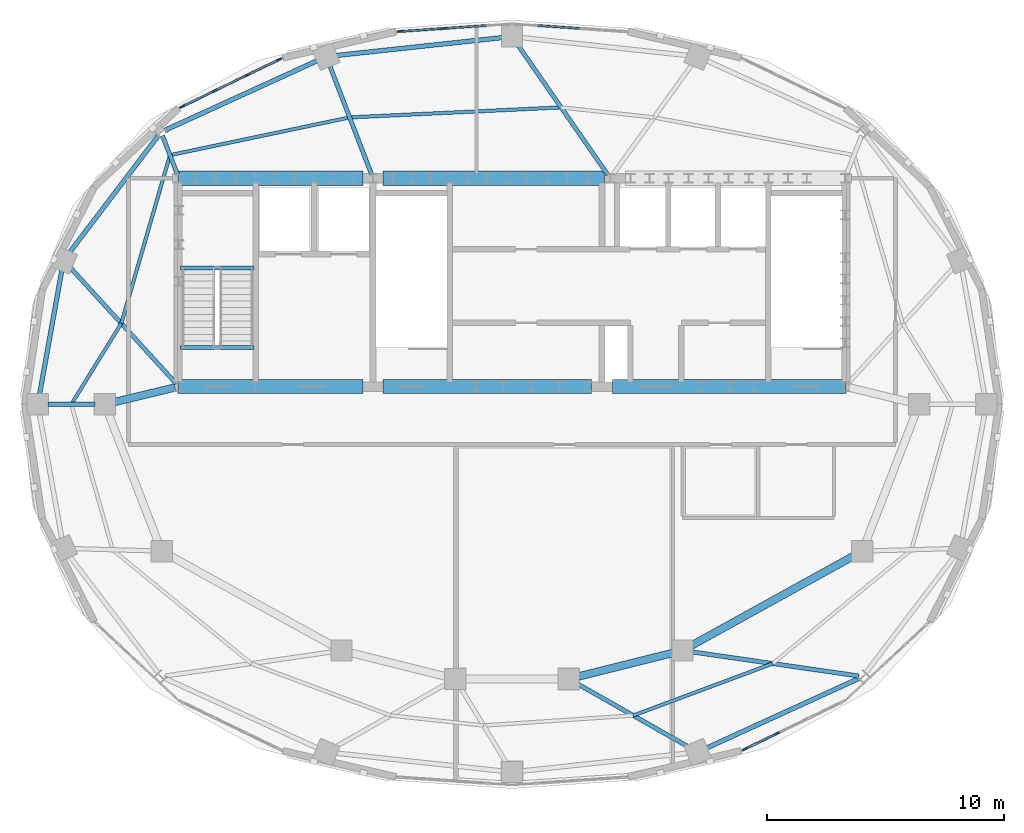
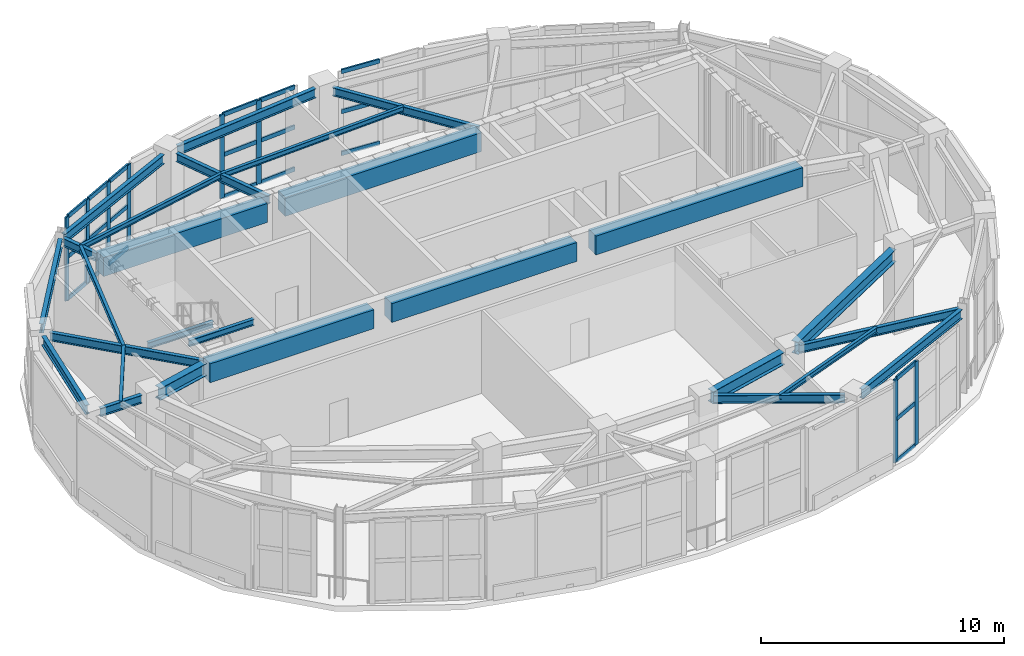
# One storey, part 3 of 10: 29 members, 27 beams, 4 elements without a shape of their own.
"""IFC4 building model written with IfcOpenShell, lengths in metres."""

from ifc_helpers import new_model, si_unit, direction, frame, origin, origin_2d, place, context, subcontext, project, spatial, rectangle, i_section, extrude, material, material_profile, profile_set, type_object, element, aggregate, save


model = new_model("IFC4")

# Units and contexts
model_context = context("Model", 3, precision=1e-05, world=origin(), true_north=direction((0.0, 1.0)))
body_context = subcontext(model_context, "Body", "Model", "MODEL_VIEW")
ifc_project = project(units=[si_unit("LENGTHUNIT", "METRE"), si_unit("AREAUNIT", "SQUARE_METRE"), si_unit("VOLUMEUNIT", "CUBIC_METRE"), si_unit("PLANEANGLEUNIT", "RADIAN"), si_unit("MASSUNIT", "GRAM", prefix="KILO")], contexts=[model_context])

# Site, building, storey
site_placement = place(None, origin())
site = spatial("IfcSite", under=ifc_project, at=site_placement, CompositionType="ELEMENT")
building_placement = place(site_placement, origin())
building = spatial("IfcBuilding", under=site, at=building_placement, Name="Haldorwick Loom Tower", CompositionType="ELEMENT")
storey_placement = place(building_placement, frame((0.0, 0.0, 296.0)))
storey = spatial("IfcBuildingStorey", under=building, at=storey_placement, Name="L79", CompositionType="ELEMENT", Elevation=296.0)

# Curtain wall, members
ifc_material_1 = material(Name="Thermally Broken Anodized Aluminium Curtain Wall Framing", Category="aluminium")
curtain_wall_type = type_object("IfcCurtainWallType", Name="ARC-CW-06", PredefinedType="NOTDEFINED", material=ifc_material_1)
curtain_wall_1_placement = place(storey_placement, origin())
curtain_wall_1 = element("IfcCurtainWall", 1, at=curtain_wall_1_placement, inside=storey, type_object=curtain_wall_type, Name="L79 Facade Curtain Wall CW-06 Bay 7", PredefinedType="NOTDEFINED")
ifc_material_profile_1 = material_profile(ifc_material_1, rectangle(XDim=0.077880859375, YDim=0.22998046875, at=origin_2d()), Name="ALU_MUL_78X230", Category="aluminium")
ifc_profile_set_1 = profile_set([ifc_material_profile_1], Name="Thermally Broken Anodized Aluminium Curtain Wall Framing")
member_type_1 = type_object("IfcMemberType", Name="ARC-CWM-06", PredefinedType="MULLION", material=ifc_profile_set_1)
member_1_placement = place(storey_placement, frame((33.103271484375, 41.8759765625, 0.0), z_axis=(0.0, 0.0, 1.0), x_axis=(0.068469286639, -0.997653224716, 0.0)))
member_1 = element("IfcMember", 2, at=member_1_placement, type_object=member_type_1, Name="CW-06 mullion 2", PredefinedType="MULLION", context=body_context, shape_type="SweptSolid", body=[
    extrude(rectangle(XDim=0.077880859375, YDim=0.22998046875, at=origin_2d()), origin(), (0.0, 0.0, 1.0), 4.199951171875),
])
member_2_placement = place(storey_placement, frame((31.280029296875, 41.7509765625, 0.0), z_axis=(0.0, 0.0, 1.0), x_axis=(0.068469286639, -0.997653224716, 0.0)))
member_2 = element("IfcMember", 3, at=member_2_placement, type_object=member_type_1, Name="CW-06 mullion 3", PredefinedType="MULLION", context=body_context, shape_type="SweptSolid", body=[
    extrude(rectangle(XDim=0.077880859375, YDim=0.22998046875, at=origin_2d()), origin(), (0.0, 0.0, 1.0), 4.199951171875),
])

curtain_wall_2_placement = place(storey_placement, origin())
curtain_wall_2 = element("IfcCurtainWall", 4, at=curtain_wall_2_placement, inside=storey, type_object=curtain_wall_type, Name="L79 Facade Curtain Wall CW-06 Bay 9", PredefinedType="NOTDEFINED")
member_3_placement = place(storey_placement, frame((26.158203125, 40.559814453125, 0.0), z_axis=(0.0, 0.0, 1.0), x_axis=(0.435823894868, -0.900031962022, 0.0)))
member_3 = element("IfcMember", 5, at=member_3_placement, type_object=member_type_1, Name="CW-06 mullion 1", PredefinedType="MULLION", context=body_context, shape_type="SweptSolid", body=[
    extrude(rectangle(XDim=0.077880859375, YDim=0.22998046875, at=origin_2d()), origin(), (0.0, 0.0, 1.0), 4.199951171875),
])
member_4_placement = place(storey_placement, frame((24.809814453125, 39.906982421875, 0.0), z_axis=(0.0, 0.0, 1.0), x_axis=(0.435823894868, -0.900031962022, 0.0)))
member_4 = element("IfcMember", 6, at=member_4_placement, type_object=member_type_1, Name="CW-06 mullion 2", PredefinedType="MULLION", context=body_context, shape_type="SweptSolid", body=[
    extrude(rectangle(XDim=0.077880859375, YDim=0.22998046875, at=origin_2d()), origin(), (0.0, 0.0, 1.0), 4.199951171875),
])
member_5_placement = place(storey_placement, frame((23.42626953125, 39.237060546875, 0.0), z_axis=(0.0, 0.0, 1.0), x_axis=(0.435823894868, -0.900031962022, 0.0)))
member_5 = element("IfcMember", 7, at=member_5_placement, type_object=member_type_1, Name="CW-06 mullion 3", PredefinedType="MULLION", context=body_context, shape_type="SweptSolid", body=[
    extrude(rectangle(XDim=0.077880859375, YDim=0.22998046875, at=origin_2d()), origin(), (0.0, 0.0, 1.0), 4.199951171875),
])
member_6_placement = place(storey_placement, frame((22.07763671875, 38.583984375, 0.0), z_axis=(0.0, 0.0, 1.0), x_axis=(0.435823894868, -0.900031962022, 0.0)))
member_6 = element("IfcMember", 8, at=member_6_placement, type_object=member_type_1, Name="CW-06 mullion 4", PredefinedType="MULLION", context=body_context, shape_type="SweptSolid", body=[
    extrude(rectangle(XDim=0.077880859375, YDim=0.22998046875, at=origin_2d()), origin(), (0.0, 0.0, 1.0), 4.199951171875),
])

curtain_wall_3_placement = place(storey_placement, origin())
curtain_wall_3 = element("IfcCurtainWall", 9, at=curtain_wall_3_placement, inside=storey, type_object=curtain_wall_type, Name="L79 Facade Curtain Wall CW-06 Bay 21", PredefinedType="NOTDEFINED")
member_7_placement = place(storey_placement, frame((45.841796875, 11.440185546875, 0.0), z_axis=(0.0, 0.0, 1.0), x_axis=(-0.435823894868, 0.900031962022, 0.0)))
member_7 = element("IfcMember", 10, at=member_7_placement, type_object=member_type_1, Name="CW-06 mullion 1", PredefinedType="MULLION", context=body_context, shape_type="SweptSolid", body=[
    extrude(rectangle(XDim=0.077880859375, YDim=0.22998046875, at=origin_2d()), origin(), (0.0, 0.0, 1.0), 4.199951171875),
])
member_8_placement = place(storey_placement, frame((47.190185546875, 12.093017578125, 0.0), z_axis=(0.0, 0.0, 1.0), x_axis=(-0.435823894868, 0.900031962022, 0.0)))
member_8 = element("IfcMember", 11, at=member_8_placement, type_object=member_type_1, Name="CW-06 mullion 2", PredefinedType="MULLION", context=body_context, shape_type="SweptSolid", body=[
    extrude(rectangle(XDim=0.077880859375, YDim=0.22998046875, at=origin_2d()), origin(), (0.0, 0.0, 1.0), 4.199951171875),
])

curtain_wall_4_placement = place(storey_placement, origin())
curtain_wall_4 = element("IfcCurtainWall", 12, at=curtain_wall_4_placement, inside=storey, type_object=curtain_wall_type, Name="L79 Facade Curtain Wall CW-06 Bay 6", PredefinedType="NOTDEFINED")
ifc_material_profile_2 = material_profile(ifc_material_1, rectangle(XDim=0.077880859375, YDim=0.2099609375, at=origin_2d()), Name="ALU_TRN_78X210", Category="aluminium")
ifc_profile_set_2 = profile_set([ifc_material_profile_2], Name="Thermally Broken Anodized Aluminium Curtain Wall Framing")
member_type_2 = type_object("IfcMemberType", Name="ARC-CWT-06", PredefinedType="USERDEFINED", material=ifc_profile_set_2)
member_9_placement = place(storey_placement, frame((38.857666015625, 41.878662109375, 0.0390625), z_axis=(-0.997649775994, 0.068519518816, 0.0), x_axis=(-0.068519518816, -0.997649775994, 0.0)))
member_9 = element("IfcMember", 13, at=member_9_placement, type_object=member_type_2, Name="CW-06 transom 2.1", ObjectType="TRANSOM", PredefinedType="USERDEFINED", context=body_context, shape_type="SweptSolid", body=[
    extrude(rectangle(XDim=0.077880859375, YDim=0.2099609375, at=origin_2d()), origin(), (0.0, 0.0, 1.0), 1.74951171875),
])
member_10_placement = place(storey_placement, frame((38.857666015625, 41.878662109375, 2.14990234375), z_axis=(-0.997649775994, 0.068519518816, 0.0), x_axis=(-0.068519518816, -0.997649775994, 0.0)))
member_10 = element("IfcMember", 14, at=member_10_placement, type_object=member_type_2, Name="CW-06 transom 2.2", ObjectType="TRANSOM", PredefinedType="USERDEFINED", context=body_context, shape_type="SweptSolid", body=[
    extrude(rectangle(XDim=0.077880859375, YDim=0.2099609375, at=origin_2d()), origin(), (0.0, 0.0, 1.0), 1.74951171875),
])
member_11_placement = place(storey_placement, frame((38.857666015625, 41.878662109375, 4.160888671875), z_axis=(-0.997649775994, 0.068519518816, 0.0), x_axis=(-0.068519518816, -0.997649775994, 0.0)))
member_11 = element("IfcMember", 15, at=member_11_placement, type_object=member_type_2, Name="CW-06 transom 2.3", ObjectType="TRANSOM", PredefinedType="USERDEFINED", context=body_context, shape_type="SweptSolid", body=[
    extrude(rectangle(XDim=0.077880859375, YDim=0.2099609375, at=origin_2d()), origin(), (0.0, 0.0, 1.0), 1.74951171875),
])
aggregate(curtain_wall_4, [member_9, member_10, member_11])

# Member
member_12_placement = place(storey_placement, frame((34.8876953125, 41.99853515625, 0.0390625), z_axis=(-0.997649775994, -0.068519518816, 0.0), x_axis=(0.068519518816, -0.997649775994, 0.0)))
member_12 = element("IfcMember", 16, at=member_12_placement, type_object=member_type_2, Name="CW-06 transom 1.1", ObjectType="TRANSOM", PredefinedType="USERDEFINED", context=body_context, shape_type="SweptSolid", body=[
    extrude(rectangle(XDim=0.077880859375, YDim=0.2099609375, at=origin_2d()), origin(), (0.0, 0.0, 1.0), 1.74951171875),
])

member_13_placement = place(storey_placement, frame((34.8876953125, 41.99853515625, 2.14990234375), z_axis=(-0.997649775994, -0.068519518816, 0.0), x_axis=(0.068519518816, -0.997649775994, 0.0)))
member_13 = element("IfcMember", 17, at=member_13_placement, type_object=member_type_2, Name="CW-06 transom 1.2", ObjectType="TRANSOM", PredefinedType="USERDEFINED", context=body_context, shape_type="SweptSolid", body=[
    extrude(rectangle(XDim=0.077880859375, YDim=0.2099609375, at=origin_2d()), origin(), (0.0, 0.0, 1.0), 1.74951171875),
])

member_14_placement = place(storey_placement, frame((34.8876953125, 41.99853515625, 4.160888671875), z_axis=(-0.997649775994, -0.068519518816, 0.0), x_axis=(0.068519518816, -0.997649775994, 0.0)))
member_14 = element("IfcMember", 18, at=member_14_placement, type_object=member_type_2, Name="CW-06 transom 1.3", ObjectType="TRANSOM", PredefinedType="USERDEFINED", context=body_context, shape_type="SweptSolid", body=[
    extrude(rectangle(XDim=0.077880859375, YDim=0.2099609375, at=origin_2d()), origin(), (0.0, 0.0, 1.0), 1.74951171875),
])

member_15_placement = place(storey_placement, frame((33.064453125, 41.873291015625, 0.0390625), z_axis=(-0.997659305908, -0.068380621051, 0.0), x_axis=(0.068380621051, -0.997659305908, 0.0)))
member_15 = element("IfcMember", 19, at=member_15_placement, type_object=member_type_2, Name="CW-06 transom 2.1", ObjectType="TRANSOM", PredefinedType="USERDEFINED", context=body_context, shape_type="SweptSolid", body=[
    extrude(rectangle(XDim=0.077880859375, YDim=0.2099609375, at=origin_2d()), origin(), (0.0, 0.0, 1.0), 1.74951171875),
])

member_16_placement = place(storey_placement, frame((33.064453125, 41.873291015625, 2.14990234375), z_axis=(-0.997659305908, -0.068380621051, 0.0), x_axis=(0.068380621051, -0.997659305908, 0.0)))
member_16 = element("IfcMember", 20, at=member_16_placement, type_object=member_type_2, Name="CW-06 transom 2.2", ObjectType="TRANSOM", PredefinedType="USERDEFINED", context=body_context, shape_type="SweptSolid", body=[
    extrude(rectangle(XDim=0.077880859375, YDim=0.2099609375, at=origin_2d()), origin(), (0.0, 0.0, 1.0), 1.74951171875),
])

member_17_placement = place(storey_placement, frame((33.064453125, 41.873291015625, 4.160888671875), z_axis=(-0.997659305908, -0.068380621051, 0.0), x_axis=(0.068380621051, -0.997659305908, 0.0)))
member_17 = element("IfcMember", 21, at=member_17_placement, type_object=member_type_2, Name="CW-06 transom 2.3", ObjectType="TRANSOM", PredefinedType="USERDEFINED", context=body_context, shape_type="SweptSolid", body=[
    extrude(rectangle(XDim=0.077880859375, YDim=0.2099609375, at=origin_2d()), origin(), (0.0, 0.0, 1.0), 1.74951171875),
])

aggregate(curtain_wall_1, [member_1, member_2, member_12, member_13, member_14, member_15, member_16, member_17])

member_18_placement = place(storey_placement, frame((26.123046875, 40.54296875, 0.0390625), z_axis=(-0.899993967604, -0.435902349474, 0.0), x_axis=(0.435902349474, -0.899993967604, 0.0)))
member_18 = element("IfcMember", 22, at=member_18_placement, type_object=member_type_2, Name="CW-06 transom 1.1", ObjectType="TRANSOM", PredefinedType="USERDEFINED", context=body_context, shape_type="SweptSolid", body=[
    extrude(rectangle(XDim=0.077880859375, YDim=0.2099609375, at=origin_2d()), origin(), (0.0, 0.0, 1.0), 1.42041015625),
])

member_19_placement = place(storey_placement, frame((26.123046875, 40.54296875, 2.14990234375), z_axis=(-0.899993967604, -0.435902349474, 0.0), x_axis=(0.435902349474, -0.899993967604, 0.0)))
member_19 = element("IfcMember", 23, at=member_19_placement, type_object=member_type_2, Name="CW-06 transom 1.2", ObjectType="TRANSOM", PredefinedType="USERDEFINED", context=body_context, shape_type="SweptSolid", body=[
    extrude(rectangle(XDim=0.077880859375, YDim=0.2099609375, at=origin_2d()), origin(), (0.0, 0.0, 1.0), 1.42041015625),
])

member_20_placement = place(storey_placement, frame((26.123046875, 40.54296875, 4.160888671875), z_axis=(-0.899993967604, -0.435902349474, 0.0), x_axis=(0.435902349474, -0.899993967604, 0.0)))
member_20 = element("IfcMember", 24, at=member_20_placement, type_object=member_type_2, Name="CW-06 transom 1.3", ObjectType="TRANSOM", PredefinedType="USERDEFINED", context=body_context, shape_type="SweptSolid", body=[
    extrude(rectangle(XDim=0.077880859375, YDim=0.2099609375, at=origin_2d()), origin(), (0.0, 0.0, 1.0), 1.42041015625),
])

member_21_placement = place(storey_placement, frame((24.774658203125, 39.889892578125, 0.0390625), z_axis=(-0.900042846839, -0.435801415616, 0.0), x_axis=(0.435801415616, -0.900042846839, 0.0)))
member_21 = element("IfcMember", 25, at=member_21_placement, type_object=member_type_2, Name="CW-06 transom 2.1", ObjectType="TRANSOM", PredefinedType="USERDEFINED", context=body_context, shape_type="SweptSolid", body=[
    extrude(rectangle(XDim=0.077880859375, YDim=0.2099609375, at=origin_2d()), origin(), (0.0, 0.0, 1.0), 1.459228515625),
])

member_22_placement = place(storey_placement, frame((24.774658203125, 39.889892578125, 2.14990234375), z_axis=(-0.900042846839, -0.435801415616, 0.0), x_axis=(0.435801415616, -0.900042846839, 0.0)))
member_22 = element("IfcMember", 26, at=member_22_placement, type_object=member_type_2, Name="CW-06 transom 2.2", ObjectType="TRANSOM", PredefinedType="USERDEFINED", context=body_context, shape_type="SweptSolid", body=[
    extrude(rectangle(XDim=0.077880859375, YDim=0.2099609375, at=origin_2d()), origin(), (0.0, 0.0, 1.0), 1.459228515625),
])

member_23_placement = place(storey_placement, frame((24.774658203125, 39.889892578125, 4.160888671875), z_axis=(-0.900042846839, -0.435801415616, 0.0), x_axis=(0.435801415616, -0.900042846839, 0.0)))
member_23 = element("IfcMember", 27, at=member_23_placement, type_object=member_type_2, Name="CW-06 transom 2.3", ObjectType="TRANSOM", PredefinedType="USERDEFINED", context=body_context, shape_type="SweptSolid", body=[
    extrude(rectangle(XDim=0.077880859375, YDim=0.2099609375, at=origin_2d()), origin(), (0.0, 0.0, 1.0), 1.459228515625),
])

member_24_placement = place(storey_placement, frame((23.39111328125, 39.219970703125, 0.0390625), z_axis=(-0.900061394309, -0.435763108207, 0.0), x_axis=(0.435763108207, -0.900061394309, 0.0)))
member_24 = element("IfcMember", 28, at=member_24_placement, type_object=member_type_2, Name="CW-06 transom 3.1", ObjectType="TRANSOM", PredefinedType="USERDEFINED", context=body_context, shape_type="SweptSolid", body=[
    extrude(rectangle(XDim=0.077880859375, YDim=0.2099609375, at=origin_2d()), origin(), (0.0, 0.0, 1.0), 1.420166015625),
])

member_25_placement = place(storey_placement, frame((23.39111328125, 39.219970703125, 2.14990234375), z_axis=(-0.900061394309, -0.435763108207, 0.0), x_axis=(0.435763108207, -0.900061394309, 0.0)))
member_25 = element("IfcMember", 29, at=member_25_placement, type_object=member_type_2, Name="CW-06 transom 3.2", ObjectType="TRANSOM", PredefinedType="USERDEFINED", context=body_context, shape_type="SweptSolid", body=[
    extrude(rectangle(XDim=0.077880859375, YDim=0.2099609375, at=origin_2d()), origin(), (0.0, 0.0, 1.0), 1.420166015625),
])

member_26_placement = place(storey_placement, frame((23.39111328125, 39.219970703125, 4.160888671875), z_axis=(-0.900061394309, -0.435763108207, 0.0), x_axis=(0.435763108207, -0.900061394309, 0.0)))
member_26 = element("IfcMember", 30, at=member_26_placement, type_object=member_type_2, Name="CW-06 transom 3.3", ObjectType="TRANSOM", PredefinedType="USERDEFINED", context=body_context, shape_type="SweptSolid", body=[
    extrude(rectangle(XDim=0.077880859375, YDim=0.2099609375, at=origin_2d()), origin(), (0.0, 0.0, 1.0), 1.420166015625),
])

aggregate(curtain_wall_2, [member_3, member_4, member_5, member_6, member_18, member_19, member_20, member_21, member_22, member_23, member_24, member_25, member_26])

member_27_placement = place(storey_placement, frame((45.876953125, 11.45703125, 0.0390625), z_axis=(0.899993967604, 0.435902349474, 0.0), x_axis=(-0.435902349474, 0.899993967604, 0.0)))
member_27 = element("IfcMember", 31, at=member_27_placement, type_object=member_type_2, Name="CW-06 transom 1.1", ObjectType="TRANSOM", PredefinedType="USERDEFINED", context=body_context, shape_type="SweptSolid", body=[
    extrude(rectangle(XDim=0.077880859375, YDim=0.2099609375, at=origin_2d()), origin(), (0.0, 0.0, 1.0), 1.42041015625),
])

member_28_placement = place(storey_placement, frame((45.876953125, 11.45703125, 2.14990234375), z_axis=(0.899993967604, 0.435902349474, 0.0), x_axis=(-0.435902349474, 0.899993967604, 0.0)))
member_28 = element("IfcMember", 32, at=member_28_placement, type_object=member_type_2, Name="CW-06 transom 1.2", ObjectType="TRANSOM", PredefinedType="USERDEFINED", context=body_context, shape_type="SweptSolid", body=[
    extrude(rectangle(XDim=0.077880859375, YDim=0.2099609375, at=origin_2d()), origin(), (0.0, 0.0, 1.0), 1.42041015625),
])

member_29_placement = place(storey_placement, frame((45.876953125, 11.45703125, 4.160888671875), z_axis=(0.899993967604, 0.435902349474, 0.0), x_axis=(-0.435902349474, 0.899993967604, 0.0)))
member_29 = element("IfcMember", 33, at=member_29_placement, type_object=member_type_2, Name="CW-06 transom 1.3", ObjectType="TRANSOM", PredefinedType="USERDEFINED", context=body_context, shape_type="SweptSolid", body=[
    extrude(rectangle(XDim=0.077880859375, YDim=0.2099609375, at=origin_2d()), origin(), (0.0, 0.0, 1.0), 1.42041015625),
])

aggregate(curtain_wall_3, [member_7, member_8, member_27, member_28, member_29])

# Beams
ifc_material_2 = material(Name="Concrete C50 (50 MPa)", Category="concrete")
ifc_material_profile_3 = material_profile(ifc_material_2, rectangle(XDim=0.60009765625, YDim=0.949951171875, at=origin_2d()), Name="RC600X950", Category="concrete")
ifc_profile_set_3 = profile_set([ifc_material_profile_3], Name="Concrete C50 (50 MPa)")
beam_type_1 = type_object("IfcBeamType", Name="STR-BM-CB950", PredefinedType="LINTEL", material=ifc_profile_set_3)
beam_1_placement = place(storey_placement, frame((21.89990234375, 35.550048828125, 3.72509765625), z_axis=(1.0, 0.0, 0.0), x_axis=(0.0, 1.0, 0.0)))
element("IfcBeam", 34, at=beam_1_placement, inside=storey, type_object=beam_type_1, Name="L79 Core Coupling Beam CB-N1", PredefinedType="LINTEL", context=body_context, shape_type="SweptSolid", body=[
    extrude(rectangle(XDim=0.60009765625, YDim=0.949951171875, at=origin_2d()), origin(), (0.0, 0.0, 1.0), 7.800048828125),
])
beam_2_placement = place(storey_placement, frame((30.550048828125, 35.550048828125, 3.72509765625), z_axis=(1.0, 0.0, 0.0), x_axis=(0.0, 1.0, 0.0)))
element("IfcBeam", 35, at=beam_2_placement, inside=storey, type_object=beam_type_1, Name="L79 Core Coupling Beam CB-N2", PredefinedType="LINTEL", context=body_context, shape_type="SweptSolid", body=[
    extrude(rectangle(XDim=0.60009765625, YDim=0.949951171875, at=origin_2d()), origin(), (0.0, 0.0, 1.0), 9.349853515625),
])
beam_3_placement = place(storey_placement, frame((21.89990234375, 26.75, 3.72509765625), z_axis=(1.0, 0.0, 0.0), x_axis=(0.0, 1.0, 0.0)))
element("IfcBeam", 36, at=beam_3_placement, inside=storey, type_object=beam_type_1, Name="L79 Core Coupling Beam CB-S1", PredefinedType="LINTEL", context=body_context, shape_type="SweptSolid", body=[
    extrude(rectangle(XDim=0.60009765625, YDim=0.949951171875, at=origin_2d()), origin(), (0.0, 0.0, 1.0), 7.800048828125),
])
beam_4_placement = place(storey_placement, frame((30.550048828125, 26.75, 3.72509765625), z_axis=(1.0, 0.0, 0.0), x_axis=(0.0, 1.0, 0.0)))
element("IfcBeam", 37, at=beam_4_placement, inside=storey, type_object=beam_type_1, Name="L79 Core Coupling Beam CB-S2", PredefinedType="LINTEL", context=body_context, shape_type="SweptSolid", body=[
    extrude(rectangle(XDim=0.60009765625, YDim=0.949951171875, at=origin_2d()), origin(), (0.0, 0.0, 1.0), 8.800048828125),
])
beam_5_placement = place(storey_placement, frame((40.25, 26.75, 3.72509765625), z_axis=(1.0, 0.0, 0.0), x_axis=(0.0, 1.0, 0.0)))
element("IfcBeam", 38, at=beam_5_placement, inside=storey, type_object=beam_type_1, Name="L79 Core Coupling Beam CB-S3", PredefinedType="LINTEL", context=body_context, shape_type="SweptSolid", body=[
    extrude(rectangle(XDim=0.60009765625, YDim=0.949951171875, at=origin_2d()), origin(), (0.0, 0.0, 1.0), 9.85009765625),
])
ifc_material_3 = material(Name="Steel CSA G40.21 350W", Category="steel")
ifc_material_profile_4 = material_profile(ifc_material_3, i_section(OverallWidth=0.14599609375, OverallDepth=0.258056640625, WebThickness=0.006103515625, FlangeThickness=0.009033203125, at=origin_2d()), Name="W250X33", Category="steel")
ifc_profile_set_4 = profile_set([ifc_material_profile_4], Name="Steel CSA G40.21 350W")
beam_type_2 = type_object("IfcBeamType", Name="STR-BM-J250", PredefinedType="JOIST", material=ifc_profile_set_4)
beam_6_placement = place(storey_placement, frame((38.074951171875, 38.54248046875, 4.071044921875), z_axis=(-0.998882668126, -0.047259023657, 0.0), x_axis=(0.047259023657, -0.998882668126, 0.0)))
element("IfcBeam", 39, at=beam_6_placement, inside=storey, type_object=beam_type_2, Name="L79 Mid-Bay Secondary Joist 5", PredefinedType="JOIST", context=body_context, shape_type="SweptSolid", body=[
    extrude(i_section(OverallWidth=0.14599609375, OverallDepth=0.258056640625, WebThickness=0.006103515625, FlangeThickness=0.009033203125, at=origin_2d()), origin(), (0.0, 0.0, 1.0), 8.9423828125),
])
beam_7_placement = place(storey_placement, frame((29.142578125, 38.119873046875, 4.071044921875), z_axis=(-0.978646531779, -0.205550397315, 0.0), x_axis=(0.205550397315, -0.978646531779, 0.0)))
element("IfcBeam", 40, at=beam_7_placement, inside=storey, type_object=beam_type_2, Name="L79 Mid-Bay Secondary Joist 6", PredefinedType="JOIST", context=body_context, shape_type="SweptSolid", body=[
    extrude(i_section(OverallWidth=0.14599609375, OverallDepth=0.258056640625, WebThickness=0.006103515625, FlangeThickness=0.009033203125, at=origin_2d()), origin(), (0.0, 0.0, 1.0), 7.755859375),
])
beam_8_placement = place(storey_placement, frame((21.55224609375, 36.525634765625, 4.071044921875), z_axis=(-0.27798758119, -0.96058466816, 0.0), x_axis=(0.96058466816, -0.27798758119, 0.0)))
element("IfcBeam", 41, at=beam_8_placement, inside=storey, type_object=beam_type_2, Name="L79 Mid-Bay Secondary Joist 7", PredefinedType="JOIST", context=body_context, shape_type="SweptSolid", body=[
    extrude(i_section(OverallWidth=0.14599609375, OverallDepth=0.258056640625, WebThickness=0.006103515625, FlangeThickness=0.009033203125, at=origin_2d()), origin(), (0.0, 0.0, 1.0), 7.400146484375),
])
beam_9_placement = place(storey_placement, frame((19.4951171875, 29.417236328125, 4.071044921875), z_axis=(-0.525703769437, -0.850667706452, 0.0), x_axis=(0.850667706452, -0.525703769437, 0.0)))
element("IfcBeam", 42, at=beam_9_placement, inside=storey, type_object=beam_type_2, Name="L79 Mid-Bay Secondary Joist 8", PredefinedType="JOIST", context=body_context, shape_type="SweptSolid", body=[
    extrude(i_section(OverallWidth=0.14599609375, OverallDepth=0.258056640625, WebThickness=0.006103515625, FlangeThickness=0.009033203125, at=origin_2d()), origin(), (0.0, 0.0, 1.0), 4.01708984375),
])
beam_10_placement = place(storey_placement, frame((41.12255859375, 12.855224609375, 4.071044921875), z_axis=(0.937096315822, 0.349070902358, 0.0), x_axis=(-0.349070902358, 0.937096315822, 0.0)))
element("IfcBeam", 43, at=beam_10_placement, inside=storey, type_object=beam_type_2, Name="L79 Mid-Bay Secondary Joist 14", PredefinedType="JOIST", context=body_context, shape_type="SweptSolid", body=[
    extrude(i_section(OverallWidth=0.14599609375, OverallDepth=0.258056640625, WebThickness=0.006103515625, FlangeThickness=0.009033203125, at=origin_2d()), origin(), (0.0, 0.0, 1.0), 6.285400390625),
])
ifc_material_profile_5 = material_profile(ifc_material_3, i_section(OverallWidth=0.179931640625, OverallDepth=0.4130859375, WebThickness=0.009765625, FlangeThickness=0.01611328125, at=origin_2d()), Name="W410X74", Category="steel")
ifc_profile_set_5 = profile_set([ifc_material_profile_5], Name="Steel CSA G40.21 350W")
beam_type_3 = type_object("IfcBeamType", Name="STR-BM-J410", PredefinedType="JOIST", material=ifc_profile_set_5)
beam_11_placement = place(storey_placement, frame((40.05224609375, 35.69091796875, 3.993408203125), z_axis=(-0.56982499389, 0.821766071542, 0.0), x_axis=(-0.821766071542, -0.56982499389, 0.0)))
element("IfcBeam", 44, at=beam_11_placement, inside=storey, type_object=beam_type_3, Name="L79 Radial Floor Girder 5", PredefinedType="JOIST", context=body_context, shape_type="SweptSolid", body=[
    extrude(i_section(OverallWidth=0.179931640625, OverallDepth=0.4130859375, WebThickness=0.009765625, FlangeThickness=0.01611328125, at=origin_2d()), origin(), (0.0, 0.0, 1.0), 6.686279296875),
])
beam_12_placement = place(storey_placement, frame((30.068603515625, 35.710205078125, 3.993408203125), z_axis=(-0.358735811388, 0.933439134399, 0.0), x_axis=(-0.933439134399, -0.358735811388, 0.0)))
element("IfcBeam", 45, at=beam_12_placement, inside=storey, type_object=beam_type_3, Name="L79 Radial Floor Girder 6", PredefinedType="JOIST", context=body_context, shape_type="SweptSolid", body=[
    extrude(i_section(OverallWidth=0.179931640625, OverallDepth=0.4130859375, WebThickness=0.009765625, FlangeThickness=0.01611328125, at=origin_2d()), origin(), (0.0, 0.0, 1.0), 4.90966796875),
])
beam_13_placement = place(storey_placement, frame((21.8681640625, 35.7099609375, 3.993408203125), z_axis=(-0.361166360631, 0.932501399435, 0.0), x_axis=(-0.932501399435, -0.361166360631, 0.0)))
element("IfcBeam", 46, at=beam_13_placement, inside=storey, type_object=beam_type_3, Name="L79 Radial Floor Girder 7", PredefinedType="JOIST", context=body_context, shape_type="SweptSolid", body=[
    extrude(i_section(OverallWidth=0.179931640625, OverallDepth=0.4130859375, WebThickness=0.009765625, FlangeThickness=0.01611328125, at=origin_2d()), origin(), (0.0, 0.0, 1.0), 1.74951171875),
])
beam_14_placement = place(storey_placement, frame((21.814453125, 26.876708984375, 3.993408203125), z_axis=(-0.67419160998, 0.738556479243, 0.0), x_axis=(-0.738556479243, -0.67419160998, 0.0)))
element("IfcBeam", 47, at=beam_14_placement, inside=storey, type_object=beam_type_3, Name="L79 Radial Floor Girder 8", PredefinedType="JOIST", context=body_context, shape_type="SweptSolid", body=[
    extrude(i_section(OverallWidth=0.179931640625, OverallDepth=0.4130859375, WebThickness=0.009765625, FlangeThickness=0.01611328125, at=origin_2d()), origin(), (0.0, 0.0, 1.0), 6.62646484375),
])
beam_15_placement = place(storey_placement, frame((18.375, 26.0, 3.993408203125), z_axis=(-1.0, 0.0, 0.0), x_axis=(0.0, -1.0, 0.0)))
element("IfcBeam", 48, at=beam_15_placement, inside=storey, type_object=beam_type_3, Name="L79 Radial Floor Girder 9", PredefinedType="JOIST", context=body_context, shape_type="SweptSolid", body=[
    extrude(i_section(OverallWidth=0.179931640625, OverallDepth=0.4130859375, WebThickness=0.009765625, FlangeThickness=0.01611328125, at=origin_2d()), origin(), (0.0, 0.0, 1.0), 1.983642578125),
])
beam_16_placement = place(storey_placement, frame((38.76953125, 14.190185546875, 3.993408203125), z_axis=(0.869741403269, -0.493507742026, 0.0), x_axis=(0.493507742026, 0.869741403269, 0.0)))
element("IfcBeam", 49, at=beam_16_placement, inside=storey, type_object=beam_type_3, Name="L79 Radial Floor Girder 14", PredefinedType="JOIST", context=body_context, shape_type="SweptSolid", body=[
    extrude(i_section(OverallWidth=0.179931640625, OverallDepth=0.4130859375, WebThickness=0.009765625, FlangeThickness=0.01611328125, at=origin_2d()), origin(), (0.0, 0.0, 1.0), 5.41064453125),
])
beam_17_placement = place(storey_placement, frame((43.62060546875, 15.539306640625, 3.993408203125), z_axis=(0.989729868718, -0.142950295447, 0.0), x_axis=(0.142950295447, 0.989729868718, 0.0)))
element("IfcBeam", 50, at=beam_17_placement, inside=storey, type_object=beam_type_3, Name="L79 Radial Floor Girder 15", PredefinedType="JOIST", context=body_context, shape_type="SweptSolid", body=[
    extrude(i_section(OverallWidth=0.179931640625, OverallDepth=0.4130859375, WebThickness=0.009765625, FlangeThickness=0.01611328125, at=origin_2d()), origin(), (0.0, 0.0, 1.0), 7.108154296875),
])
ifc_material_profile_6 = material_profile(ifc_material_3, i_section(OverallWidth=0.193115234375, OverallDepth=0.466064453125, WebThickness=0.011474609375, FlangeThickness=0.01904296875, at=origin_2d()), Name="W460X97", Category="steel")
ifc_profile_set_6 = profile_set([ifc_material_profile_6], Name="Steel CSA G40.21 350W")
beam_type_4 = type_object("IfcBeamType", Name="STR-BM-SP460", PredefinedType="SPANDREL", material=ifc_profile_set_6)
beam_18_placement = place(storey_placement, frame((35.577392578125, 41.4892578125, 3.967041015625), z_axis=(-0.994246141162, -0.107119609712, 0.0), x_axis=(0.107119609712, -0.994246141162, 0.0)))
element("IfcBeam", 51, at=beam_18_placement, inside=storey, type_object=beam_type_4, Name="L79 Perimeter Spandrel 5", PredefinedType="SPANDREL", context=body_context, shape_type="SweptSolid", body=[
    extrude(i_section(OverallWidth=0.193115234375, OverallDepth=0.466064453125, WebThickness=0.011474609375, FlangeThickness=0.01904296875, at=origin_2d()), origin(), (0.0, 0.0, 1.0), 7.040283203125),
])
beam_19_placement = place(storey_placement, frame((27.768310546875, 40.51318359375, 3.967041015625), z_axis=(-0.909597043303, -0.415491538799, 0.0), x_axis=(0.415491538799, -0.909597043303, 0.0)))
element("IfcBeam", 52, at=beam_19_placement, inside=storey, type_object=beam_type_4, Name="L79 Perimeter Spandrel 6", PredefinedType="SPANDREL", context=body_context, shape_type="SweptSolid", body=[
    extrude(i_section(OverallWidth=0.193115234375, OverallDepth=0.466064453125, WebThickness=0.011474609375, FlangeThickness=0.01904296875, at=origin_2d()), origin(), (0.0, 0.0, 1.0), 7.07763671875),
])
beam_20_placement = place(storey_placement, frame((21.07080078125, 37.364501953125, 3.967041015625), z_axis=(-0.604848808079, -0.796340328858, 0.0), x_axis=(0.796340328858, -0.604848808079, 0.0)))
element("IfcBeam", 53, at=beam_20_placement, inside=storey, type_object=beam_type_4, Name="L79 Perimeter Spandrel 7", PredefinedType="SPANDREL", context=body_context, shape_type="SweptSolid", body=[
    extrude(i_section(OverallWidth=0.193115234375, OverallDepth=0.466064453125, WebThickness=0.011474609375, FlangeThickness=0.01904296875, at=origin_2d()), origin(), (0.0, 0.0, 1.0), 6.205078125),
])
beam_21_placement = place(storey_placement, frame((16.9853515625, 31.66650390625, 3.967041015625), z_axis=(-0.176999556218, -0.984210931202, 0.0), x_axis=(0.984210931202, -0.176999556218, 0.0)))
element("IfcBeam", 54, at=beam_21_placement, inside=storey, type_object=beam_type_4, Name="L79 Perimeter Spandrel 8", PredefinedType="SPANDREL", context=body_context, shape_type="SweptSolid", body=[
    extrude(i_section(OverallWidth=0.193115234375, OverallDepth=0.466064453125, WebThickness=0.011474609375, FlangeThickness=0.01904296875, at=origin_2d()), origin(), (0.0, 0.0, 1.0), 5.33251953125),
])
beam_22_placement = place(storey_placement, frame((44.231689453125, 11.48681640625, 3.967041015625), z_axis=(0.909597043303, 0.415491538799, 0.0), x_axis=(-0.415491538799, 0.909597043303, 0.0)))
element("IfcBeam", 55, at=beam_22_placement, inside=storey, type_object=beam_type_4, Name="L79 Perimeter Spandrel 14", PredefinedType="SPANDREL", context=body_context, shape_type="SweptSolid", body=[
    extrude(i_section(OverallWidth=0.193115234375, OverallDepth=0.466064453125, WebThickness=0.011474609375, FlangeThickness=0.01904296875, at=origin_2d()), origin(), (0.0, 0.0, 1.0), 7.07763671875),
])
ifc_material_profile_7 = material_profile(ifc_material_3, i_section(OverallWidth=0.166015625, OverallDepth=0.31298828125, WebThickness=0.006591796875, FlangeThickness=0.01123046875, at=origin_2d()), Name="W310X45", Category="steel")
ifc_profile_set_7 = profile_set([ifc_material_profile_7], Name="Steel CSA G40.21 350W")
beam_type_5 = type_object("IfcBeamType", Name="STR-BM-STRM", PredefinedType="BEAM", material=ifc_profile_set_7)
for number, where, z_axis, x_axis, name in (
    (56, (21.989990234375, 28.39990234375, 4.04345703125), (1.0, 0.0, 0.0), (0.0, 1.0, 0.0), "L79 Stair ST-01 Landing Edge Trimmer"),
    (57, (21.989990234375, 31.760009765625, 1.8935546875), (1.0, 0.0, 0.0), (0.0, 1.0, 0.0), "L79 Stair ST-01 Half-Landing Trimmer 1"),
):
    element("IfcBeam", number, at=place(storey_placement, frame(where, z_axis=z_axis, x_axis=x_axis)), inside=storey, type_object=beam_type_5, Name=name, PredefinedType="BEAM", context=body_context, shape_type="SweptSolid", body=[
        extrude(i_section(OverallWidth=0.166015625, OverallDepth=0.31298828125, WebThickness=0.006591796875, FlangeThickness=0.01123046875, at=origin_2d()), origin(), (0.0, 0.0, 1.0), 3.1201171875),
    ])
ifc_material_profile_8 = material_profile(ifc_material_3, i_section(OverallWidth=0.324951171875, OverallDepth=0.615966796875, WebThickness=0.013916015625, FlangeThickness=0.021484375, at=origin_2d()), Name="W610X174", Category="steel")
ifc_profile_set_8 = profile_set([ifc_material_profile_8], Name="Steel CSA G40.21 350W")
beam_type_6 = type_object("IfcBeamType", Name="STR-BM-W610A", PredefinedType="BEAM", material=ifc_profile_set_8)
beam_23_placement = place(storey_placement, frame((50.427978515625, 19.594482421875, 3.89208984375), z_axis=(-0.875241535439, -0.48368611169, 0.0), x_axis=(0.48368611169, -0.875241535439, 0.0)))
element("IfcBeam", 58, at=beam_23_placement, inside=storey, type_object=beam_type_6, Name="L79 Inner Ring Girder 3", PredefinedType="BEAM", context=body_context, shape_type="SweptSolid", body=[
    extrude(i_section(OverallWidth=0.324951171875, OverallDepth=0.615966796875, WebThickness=0.013916015625, FlangeThickness=0.021484375, at=origin_2d()), origin(), (0.0, 0.0, 1.0), 7.833251953125),
])
beam_24_placement = place(storey_placement, frame((42.78759765625, 15.496826171875, 3.89208984375), z_axis=(-0.97015301348, -0.242493567823, 0.0), x_axis=(0.242493567823, -0.97015301348, 0.0)))
element("IfcBeam", 59, at=beam_24_placement, inside=storey, type_object=beam_type_6, Name="L79 Inner Ring Girder 4", PredefinedType="BEAM", context=body_context, shape_type="SweptSolid", body=[
    extrude(i_section(OverallWidth=0.324951171875, OverallDepth=0.615966796875, WebThickness=0.013916015625, FlangeThickness=0.021484375, at=origin_2d()), origin(), (0.0, 0.0, 1.0), 4.09765625),
])
beam_25_placement = place(storey_placement, frame((19.21337890625, 26.09912109375, 3.89208984375), z_axis=(0.972483573168, 0.232971457302, 0.0), x_axis=(-0.232971457302, 0.972483573168, 0.0)))
element("IfcBeam", 60, at=beam_25_placement, inside=storey, type_object=beam_type_6, Name="L79 Inner Ring Girder 9", PredefinedType="BEAM", context=body_context, shape_type="SweptSolid", body=[
    extrude(i_section(OverallWidth=0.324951171875, OverallDepth=0.615966796875, WebThickness=0.013916015625, FlangeThickness=0.021484375, at=origin_2d()), origin(), (0.0, 0.0, 1.0), 2.6220703125),
])

save(model, "model.ifc")
